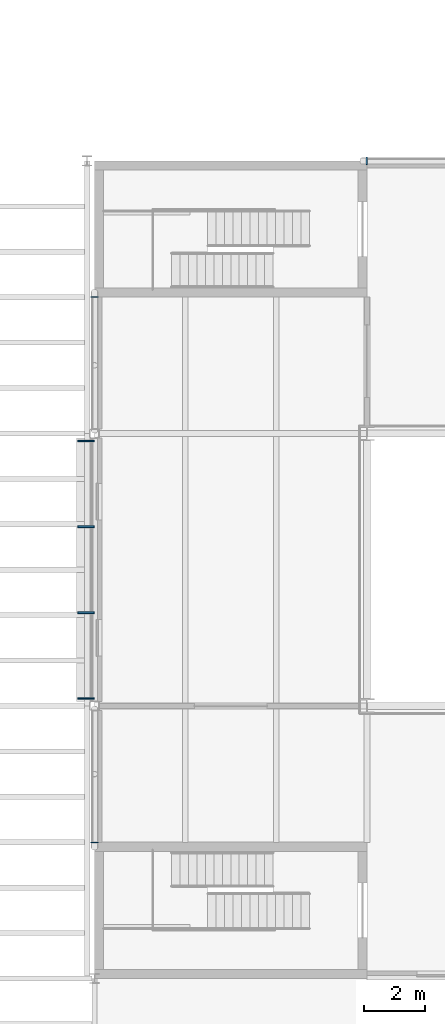
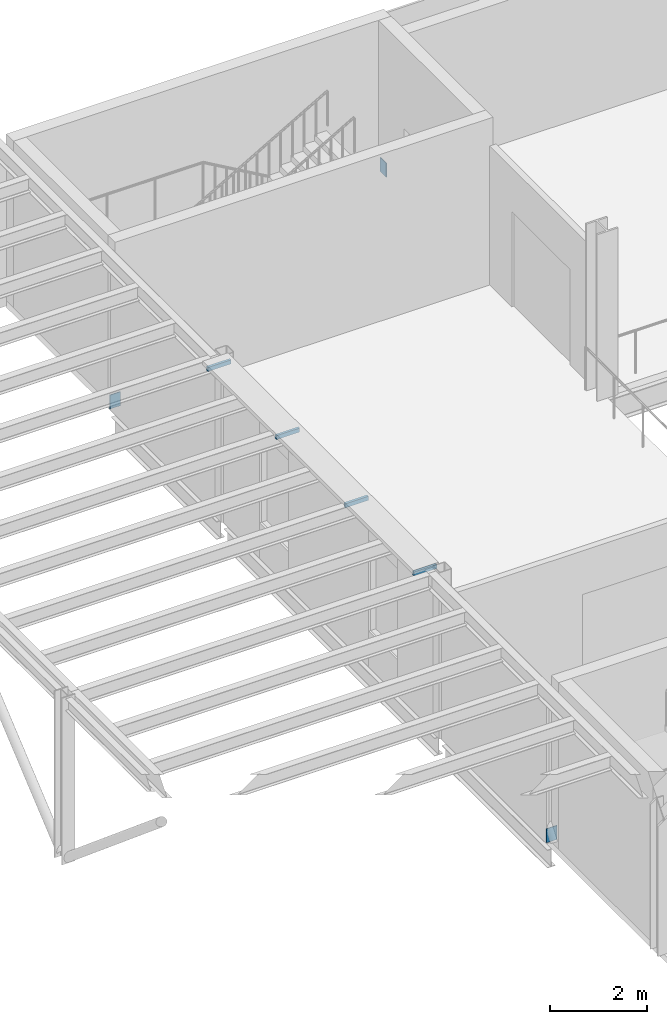
# One storey, part 39 of 57: 7 discrete accessories.
"""IFC4 building model written with IfcOpenShell, lengths in metres."""

from ifc_helpers import new_model, si_unit, direction, frame, origin, origin_2d, place, context, subcontext, project, spatial, rectangle, extrude, element, save


model = new_model("IFC4")

# Units and contexts
model_context = context("Model", 3, precision=1e-05, world=origin(), true_north=direction((0.0, 1.0)))
body_context = subcontext(model_context, "Body", "Model", "MODEL_VIEW")
ifc_project = project(units=[si_unit("LENGTHUNIT", "METRE"), si_unit("AREAUNIT", "SQUARE_METRE"), si_unit("VOLUMEUNIT", "CUBIC_METRE"), si_unit("PLANEANGLEUNIT", "RADIAN"), si_unit("MASSUNIT", "GRAM", prefix="KILO")], contexts=[model_context])

# Site, building, storey
site_placement = place(None, origin())
site = spatial("IfcSite", under=ifc_project, at=site_placement, CompositionType="ELEMENT")
building_placement = place(site_placement, origin())
building = spatial("IfcBuilding", under=site, at=building_placement, Name="Halyard Row Museum", CompositionType="ELEMENT")
storey_placement = place(building_placement, frame((0.0, 0.0, 5.0)))
storey = spatial("IfcBuildingStorey", under=building, at=storey_placement, Name="L01", CompositionType="ELEMENT", Elevation=5.0)

# Discrete accessories
for number, where, z_axis, x_axis, name in (
    (1, (27.0, 22.5, 0.215087890625), (0.0, -1.0, 0.0), (1.0, 0.0, 0.0), "Brace L01 X27 22.5-27 A cast-in plate"),
    (2, (27.0, 40.5, 0.215087890625), (0.0, 1.0, 0.0), (-1.0, 0.0, 0.0), "Brace L01 X27 36-40.5 B cast-in plate"),
    (3, (36.0, 45.0, 0.215087890625), (-1.0, 0.0, 0.0), (0.0, -1.0, 0.0), "Brace L01 Y45 36-45 A cast-in plate"),
):
    element("IfcDiscreteAccessory", number, at=place(storey_placement, frame(where, z_axis=z_axis, x_axis=x_axis)), inside=storey, Name=name, PredefinedType="ANCHORPLATE", context=body_context, shape_type="SweptSolid", body=[
        extrude(rectangle(XDim=0.25, YDim=0.35009765625, at=origin_2d()), origin(), (0.0, 0.0, 1.0), 0.02001953125),
    ])
for number, where, z_axis, x_axis, name in (
    (4, (26.72509765625, 35.75, 4.034912109375), (0.0, 0.0, 1.0), (1.0, 0.0, 0.0), "Louvre bracket"),
    (5, (26.72509765625, 32.916748046875, 4.034912109375), (0.0, 0.0, 1.0), (1.0, 0.0, 0.0), "Louvre bracket"),
    (6, (26.72509765625, 30.083251953125, 4.034912109375), (0.0, 0.0, 1.0), (1.0, 0.0, 0.0), "Louvre bracket"),
    (7, (26.72509765625, 27.25, 4.034912109375), (0.0, 0.0, 1.0), (1.0, 0.0, 0.0), "Louvre bracket"),
):
    element("IfcDiscreteAccessory", number, at=place(storey_placement, frame(where, z_axis=z_axis, x_axis=x_axis)), inside=storey, Name=name, PredefinedType="BRACKET", context=body_context, shape_type="SweptSolid", body=[
        extrude(rectangle(XDim=0.550048828125, YDim=0.06005859375, at=origin_2d()), origin(), (0.0, 0.0, 1.0), 0.10009765625),
    ])

save(model, "model.ifc")
